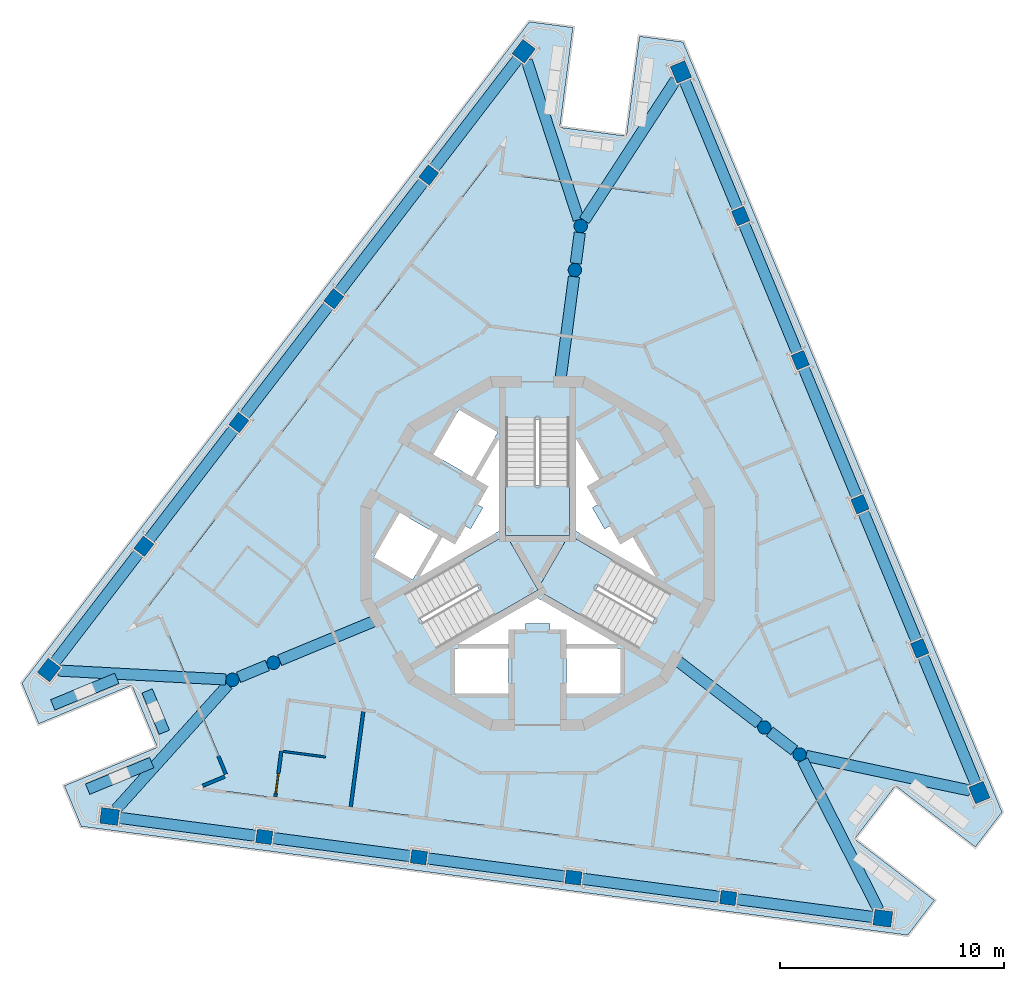
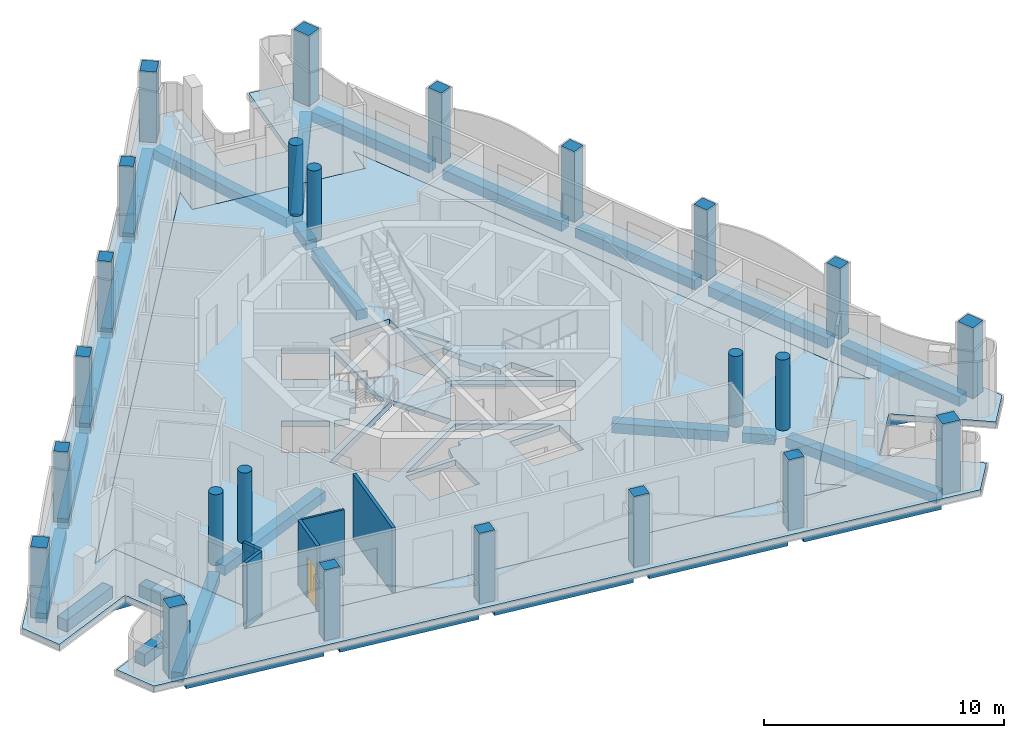
# One storey, part 1 of 12: 27 beams, 24 columns, 8 walls, 6 slabs, 1 door, 1 opening, 3 elements without a shape of their own.
"""IFC4 building model written with IfcOpenShell, lengths in metres."""

from ifc_helpers import new_model, si_unit, direction, frame, frame_2d, origin, origin_2d, place, context, subcontext, project, spatial, polyline, rectangle, circle, outline, extrude, material, layer, layer_set, material_profile, profile_set, type_object, element, fill, aggregate, save


model = new_model("IFC4")

# Units and contexts
model_context = context("Model", 3, precision=1e-05, world=origin(), true_north=direction((0.0, 1.0)))
body_context = subcontext(model_context, "Body", "Model", "MODEL_VIEW")
ifc_project = project(units=[si_unit("LENGTHUNIT", "METRE"), si_unit("AREAUNIT", "SQUARE_METRE"), si_unit("VOLUMEUNIT", "CUBIC_METRE"), si_unit("PLANEANGLEUNIT", "RADIAN"), si_unit("MASSUNIT", "GRAM", prefix="KILO")], contexts=[model_context])

# Site, building, storey
site_placement = place(None, origin())
site = spatial("IfcSite", under=ifc_project, at=site_placement, CompositionType="ELEMENT")
building_placement = place(site_placement, origin())
building = spatial("IfcBuilding", under=site, at=building_placement, Name="Trine Commons Tower", CompositionType="ELEMENT")
storey_placement = place(building_placement, frame((0.0, 0.0, 275.39990234375)))
storey = spatial("IfcBuildingStorey", under=building, at=storey_placement, Name="L72", CompositionType="ELEMENT", Elevation=275.39990234375)

# Columns
ifc_material_1 = material(Name="Concrete C50/60", Category="concrete")
ifc_material_profile_1 = material_profile(ifc_material_1, rectangle(XDim=0.699951171875, YDim=0.60009765625, at=origin_2d()), Name="RC 700x600")
ifc_profile_set_1 = profile_set([ifc_material_profile_1], Name="Concrete C50/60")
column_type_1 = type_object("IfcColumnType", Name="RC column 700x600, C50/60", PredefinedType="COLUMN", material=ifc_profile_set_1)
for number, where, z_axis, x_axis, name in (
    (1, (88.521728515625, 47.098876953125, 0.0), (0.0, 0.0, 1.0), (-0.991444861374, 0.13052619222, 0.0), "Column PC8-02 L72"),
    (2, (81.608642578125, 48.009033203125, 0.0), (0.0, 0.0, 1.0), (-0.991444861374, 0.13052619222, 0.0), "Column PC8-03 L72"),
    (3, (74.695556640625, 48.919189453125, 0.0), (0.0, 0.0, 1.0), (-0.991444861374, 0.13052619222, 0.0), "Column PC8-04 L72"),
    (4, (67.782470703125, 49.8291015625, 0.0), (0.0, 0.0, 1.0), (-0.991444861374, 0.13052619222, 0.0), "Column PC8-05 L72"),
    (5, (62.4013671875, 62.820556640625, 0.0), (0.0, 0.0, 1.0), (0.608761429009, 0.793353340291, 0.0), "Column PC8-08 L72"),
    (6, (66.64599609375, 68.352294921875, 0.0), (0.0, 0.0, 1.0), (0.608761429009, 0.793353340291, 0.0), "Column PC8-09 L72"),
    (7, (70.890869140625, 73.88427734375, 0.0), (0.0, 0.0, 1.0), (0.608761429009, 0.793353340291, 0.0), "Column PC8-10 L72"),
    (8, (75.135498046875, 79.416015625, 0.0), (0.0, 0.0, 1.0), (0.608761429009, 0.793353340291, 0.0), "Column PC8-11 L72"),
    (9, (89.076904296875, 77.58056640625, 0.0), (0.0, 0.0, 1.0), (-0.382683432365, 0.923879532511, 0.0), "Column PC8-14 L72"),
    (10, (91.745361328125, 71.138671875, 0.0), (0.0, 0.0, 1.0), (-0.382683432365, 0.923879532511, 0.0), "Column PC8-15 L72"),
    (11, (94.41357421875, 64.69677734375, 0.0), (0.0, 0.0, 1.0), (-0.382683432365, 0.923879532511, 0.0), "Column PC8-16 L72"),
    (12, (97.081787109375, 58.254638671875, 0.0), (0.0, 0.0, 1.0), (-0.382683432365, 0.923879532511, 0.0), "Column PC8-17 L72"),
):
    element("IfcColumn", number, at=place(storey_placement, frame(where, z_axis=z_axis, x_axis=x_axis)), inside=storey, type_object=column_type_1, Name=name, PredefinedType="COLUMN", context=body_context, shape_type="SweptSolid", body=[
        extrude(rectangle(XDim=0.699951171875, YDim=0.60009765625, at=origin_2d()), origin(), (0.0, 0.0, 1.0), 3.60009765625),
    ])
ifc_material_profile_2 = material_profile(ifc_material_1, rectangle(XDim=0.800048828125, YDim=0.699951171875, at=origin_2d()), Name="RC 800x700")
ifc_profile_set_2 = profile_set([ifc_material_profile_2], Name="Concrete C50/60")
column_type_2 = type_object("IfcColumnType", Name="RC column 800x700, C50/60", PredefinedType="COLUMN", material=ifc_profile_set_2)
for number, where, z_axis, x_axis, name in (
    (13, (95.434814453125, 46.188720703125, 0.0), (0.0, 0.0, 1.0), (-0.991444861374, 0.13052619222, 0.0), "Column PC8-01 L72"),
    (14, (60.869384765625, 50.7392578125, 0.0), (0.0, 0.0, 1.0), (-0.991444861374, 0.13052619222, 0.0), "Column PC8-06 L72"),
    (15, (58.156494140625, 57.288818359375, 0.0), (0.0, 0.0, 1.0), (0.608761429009, 0.793353340291, 0.0), "Column PC8-07 L72"),
    (16, (79.380126953125, 84.947998046875, 0.0), (0.0, 0.0, 1.0), (0.608761429009, 0.793353340291, 0.0), "Column PC8-12 L72"),
    (17, (86.40869140625, 84.022705078125, 0.0), (0.0, 0.0, 1.0), (-0.382683432365, 0.923879532511, 0.0), "Column PC8-13 L72"),
    (18, (99.750244140625, 51.812744140625, 0.0), (0.0, 0.0, 1.0), (-0.382683432365, 0.923879532511, 0.0), "Column PC8-18 L72"),
):
    element("IfcColumn", number, at=place(storey_placement, frame(where, z_axis=z_axis, x_axis=x_axis)), inside=storey, type_object=column_type_2, Name=name, PredefinedType="COLUMN", context=body_context, shape_type="SweptSolid", body=[
        extrude(rectangle(XDim=0.800048828125, YDim=0.699951171875, at=origin_2d()), origin(), (0.0, 0.0, 1.0), 3.60009765625),
    ])
ifc_material_profile_3 = material_profile(ifc_material_1, circle(Radius=0.300048828125, at=origin_2d()), Name="RC round 600")
ifc_profile_set_3 = profile_set([ifc_material_profile_3], Name="Concrete C50/60")
column_type_3 = type_object("IfcColumnType", Name="RC round column 600 mm, C50/60", PredefinedType="COLUMN", material=ifc_profile_set_3)
for number, where, z_axis, x_axis, name in (
    (19, (90.137451171875, 54.72119140625, 0.0), (0.0, 0.0, 1.0), (1.0, 0.0, 0.0), "Column WC8-1 L72"),
    (20, (91.711669921875, 53.513427734375, 0.0), (0.0, 0.0, 1.0), (1.0, 0.0, 0.0), "Column WC8-2 L72"),
    (21, (81.66796875, 75.168701171875, 0.0), (0.0, 0.0, 1.0), (1.0, 0.0, 0.0), "Column WC8-3 L72"),
    (22, (81.927001953125, 77.135986328125, 0.0), (0.0, 0.0, 1.0), (1.0, 0.0, 0.0), "Column WC8-4 L72"),
    (23, (68.194580078125, 57.610107421875, 0.0), (0.0, 0.0, 1.0), (1.0, 0.0, 0.0), "Column WC8-5 L72"),
    (24, (66.361572265625, 56.850830078125, 0.0), (0.0, 0.0, 1.0), (1.0, 0.0, 0.0), "Column WC8-6 L72"),
):
    element("IfcColumn", number, at=place(storey_placement, frame(where, z_axis=z_axis, x_axis=x_axis)), inside=storey, type_object=column_type_3, Name=name, PredefinedType="COLUMN", context=body_context, shape_type="SweptSolid", body=[
        extrude(circle(Radius=0.300048828125, at=origin_2d()), origin(), (0.0, 0.0, 1.0), 3.60009765625),
    ])

# Beams
ifc_material_2 = material(Name="Concrete C40/50", Category="concrete")
ifc_material_profile_4 = material_profile(ifc_material_2, rectangle(XDim=0.5, YDim=0.5, at=origin_2d()), Name="RC 500x500")
ifc_profile_set_4 = profile_set([ifc_material_profile_4], Name="Concrete C40/50")
beam_type = type_object("IfcBeamType", Name="RC beam 500x500, C40/50", PredefinedType="BEAM", material=ifc_profile_set_4)
beam_1_placement = place(storey_placement, frame((95.0380859375, 46.240966796875, -0.5498046875), z_axis=(-0.991444143506, 0.130531644853, 0.0), x_axis=(-0.130531644853, -0.991444143506, 0.0)))
element("IfcBeam", 25, at=beam_1_placement, inside=storey, type_object=beam_type, Name="Beam EB8-01 L72", PredefinedType="BEAM", context=body_context, shape_type="SweptSolid", body=[
    extrude(rectangle(XDim=0.5, YDim=0.5, at=origin_2d()), origin(), (0.0, 0.0, 1.0), 6.22265625),
])
beam_2_placement = place(storey_placement, frame((88.1748046875, 47.14453125, -0.5498046875), z_axis=(-0.9914427663, 0.130542104902, 0.0), x_axis=(-0.130542104902, -0.9914427663, 0.0)))
element("IfcBeam", 26, at=beam_2_placement, inside=storey, type_object=beam_type, Name="Beam EB8-02 L72", PredefinedType="BEAM", context=body_context, shape_type="SweptSolid", body=[
    extrude(rectangle(XDim=0.5, YDim=0.5, at=origin_2d()), origin(), (0.0, 0.0, 1.0), 6.272705078125),
])
for number, where, z_axis, x_axis, name in (
    (27, (81.26171875, 48.0546875, -0.5498046875), (-0.991448465824, 0.130498810784, 0.0), (-0.130498810784, -0.991448465824, 0.0), "Beam EB8-03 L72"),
    (28, (74.3486328125, 48.96484375, -0.5498046875), (-0.991448465824, 0.130498810784, 0.0), (-0.130498810784, -0.991448465824, 0.0), "Beam EB8-04 L72"),
):
    element("IfcBeam", number, at=place(storey_placement, frame(where, z_axis=z_axis, x_axis=x_axis)), inside=storey, type_object=beam_type, Name=name, PredefinedType="BEAM", context=body_context, shape_type="SweptSolid", body=[
        extrude(rectangle(XDim=0.5, YDim=0.5, at=origin_2d()), origin(), (0.0, 0.0, 1.0), 6.27294921875),
    ])
for number, where, z_axis, x_axis, name in (
    (29, (67.435546875, 49.875, -0.5498046875), (-0.991449220248, 0.130493079009, 0.0), (-0.130493079009, -0.991449220248, 0.0), "Beam EB8-05 L72"),
    (30, (58.400146484375, 57.60595703125, -0.5498046875), (0.60875848978, 0.793355595632, 0.0), (-0.793355595632, 0.60875848978, 0.0), "Beam EB8-06 L72"),
):
    element("IfcBeam", number, at=place(storey_placement, frame(where, z_axis=z_axis, x_axis=x_axis)), inside=storey, type_object=beam_type, Name=name, PredefinedType="BEAM", context=body_context, shape_type="SweptSolid", body=[
        extrude(rectangle(XDim=0.5, YDim=0.5, at=origin_2d()), origin(), (0.0, 0.0, 1.0), 6.22265625),
    ])
for number, where, z_axis, x_axis, name in (
    (31, (62.614501953125, 63.09814453125, -0.5498046875), (0.608756693169, 0.793356974206, 0.0), (-0.793356974206, 0.608756693169, 0.0), "Beam EB8-07 L72"),
    (32, (66.859130859375, 68.630126953125, -0.5498046875), (0.608775490712, 0.793342550169, 0.0), (-0.793342550169, 0.608775490712, 0.0), "Beam EB8-08 L72"),
):
    element("IfcBeam", number, at=place(storey_placement, frame(where, z_axis=z_axis, x_axis=x_axis)), inside=storey, type_object=beam_type, Name=name, PredefinedType="BEAM", context=body_context, shape_type="SweptSolid", body=[
        extrude(rectangle(XDim=0.5, YDim=0.5, at=origin_2d()), origin(), (0.0, 0.0, 1.0), 6.272705078125),
    ])
beam_3_placement = place(storey_placement, frame((71.10400390625, 74.161865234375, -0.5498046875), z_axis=(0.608750992772, 0.793361348188, 0.0), x_axis=(-0.793361348188, 0.608750992772, 0.0)))
element("IfcBeam", 33, at=beam_3_placement, inside=storey, type_object=beam_type, Name="Beam EB8-09 L72", PredefinedType="BEAM", context=body_context, shape_type="SweptSolid", body=[
    extrude(rectangle(XDim=0.5, YDim=0.5, at=origin_2d()), origin(), (0.0, 0.0, 1.0), 6.2724609375),
])
beam_4_placement = place(storey_placement, frame((75.3486328125, 79.693603515625, -0.5498046875), z_axis=(0.60873954155, 0.793370134649, 0.0), x_axis=(-0.793370134649, 0.60873954155, 0.0)))
element("IfcBeam", 34, at=beam_4_placement, inside=storey, type_object=beam_type, Name="Beam EB8-10 L72", PredefinedType="BEAM", context=body_context, shape_type="SweptSolid", body=[
    extrude(rectangle(XDim=0.5, YDim=0.5, at=origin_2d()), origin(), (0.0, 0.0, 1.0), 6.222900390625),
])
beam_5_placement = place(storey_placement, frame((86.561767578125, 83.653076171875, -0.5498046875), z_axis=(0.382686748804, -0.92387815879, 0.0), x_axis=(0.92387815879, 0.382686748804, 0.0)))
element("IfcBeam", 35, at=beam_5_placement, inside=storey, type_object=beam_type, Name="Beam EB8-11 L72", PredefinedType="BEAM", context=body_context, shape_type="SweptSolid", body=[
    extrude(rectangle(XDim=0.5, YDim=0.5, at=origin_2d()), origin(), (0.0, 0.0, 1.0), 6.22265625),
])
beam_6_placement = place(storey_placement, frame((89.210693359375, 77.257080078125, -0.5498046875), z_axis=(0.382724191967, -0.923862648278, 0.0), x_axis=(0.923862648278, 0.382724191967, 0.0)))
element("IfcBeam", 36, at=beam_6_placement, inside=storey, type_object=beam_type, Name="Beam EB8-12 L72", PredefinedType="BEAM", context=body_context, shape_type="SweptSolid", body=[
    extrude(rectangle(XDim=0.5, YDim=0.5, at=origin_2d()), origin(), (0.0, 0.0, 1.0), 6.2724609375),
])
for number, where, z_axis, x_axis, name in (
    (37, (91.879150390625, 70.815185546875, -0.5498046875), (0.38271043005, -0.923868349242, 0.0), (0.923868349242, 0.38271043005, 0.0), "Beam EB8-13 L72"),
    (38, (94.547607421875, 64.373291015625, -0.5498046875), (0.38267720894, -0.923882110314, 0.0), (0.923882110314, 0.38267720894, 0.0), "Beam EB8-14 L72"),
):
    element("IfcBeam", number, at=place(storey_placement, frame(where, z_axis=z_axis, x_axis=x_axis)), inside=storey, type_object=beam_type, Name=name, PredefinedType="BEAM", context=body_context, shape_type="SweptSolid", body=[
        extrude(rectangle(XDim=0.5, YDim=0.5, at=origin_2d()), origin(), (0.0, 0.0, 1.0), 6.272705078125),
    ])
beam_7_placement = place(storey_placement, frame((97.2158203125, 57.931396484375, -0.5498046875), z_axis=(0.382686748804, -0.92387815879, 0.0), x_axis=(0.92387815879, 0.382686748804, 0.0)))
element("IfcBeam", 39, at=beam_7_placement, inside=storey, type_object=beam_type, Name="Beam EB8-15 L72", PredefinedType="BEAM", context=body_context, shape_type="SweptSolid", body=[
    extrude(rectangle(XDim=0.5, YDim=0.5, at=origin_2d()), origin(), (0.0, 0.0, 1.0), 6.22265625),
])
beam_8_placement = place(storey_placement, frame((61.1533203125, 51.054931640625, -0.5498046875), z_axis=(0.668383038107, 0.743817258721, 0.0), x_axis=(-0.743817258721, 0.668383038107, 0.0)))
element("IfcBeam", 40, at=beam_8_placement, inside=storey, type_object=beam_type, Name="Beam CB8-01 L72", PredefinedType="BEAM", context=body_context, shape_type="SweptSolid", body=[
    extrude(rectangle(XDim=0.5, YDim=0.5, at=origin_2d()), origin(), (0.0, 0.0, 1.0), 7.492431640625),
])
beam_9_placement = place(storey_placement, frame((58.580322265625, 57.26611328125, -0.5498046875), z_axis=(0.998578123195, -0.053307896938, 0.0), x_axis=(0.053307896938, 0.998578123195, 0.0)))
element("IfcBeam", 41, at=beam_9_placement, inside=storey, type_object=beam_type, Name="Beam CB8-02 L72", PredefinedType="BEAM", context=body_context, shape_type="SweptSolid", body=[
    extrude(rectangle(XDim=0.5, YDim=0.5, at=origin_2d()), origin(), (0.0, 0.0, 1.0), 7.49267578125),
])
for number, where, z_axis, x_axis, name in (
    (42, (79.51171875, 84.54443359375, -0.5498046875), (0.309945045927, -0.950754473303, 0.0), (0.950754473303, 0.309945045927, 0.0), "Beam CB8-03 L72"),
    (43, (86.177001953125, 83.6669921875, -0.5498046875), (-0.545439536042, -0.838150173013, 0.0), (0.838150173013, -0.545439536042, 0.0), "Beam CB8-04 L72"),
):
    element("IfcBeam", number, at=place(storey_placement, frame(where, z_axis=z_axis, x_axis=x_axis)), inside=storey, type_object=beam_type, Name=name, PredefinedType="BEAM", context=body_context, shape_type="SweptSolid", body=[
        extrude(rectangle(XDim=0.5, YDim=0.5, at=origin_2d()), origin(), (0.0, 0.0, 1.0), 7.492431640625),
    ])
beam_10_placement = place(storey_placement, frame((99.335205078125, 51.900634765625, -0.5498046875), z_axis=(-0.978346023525, 0.206975984727, 0.0), x_axis=(-0.206975984727, -0.978346023525, 0.0)))
element("IfcBeam", 44, at=beam_10_placement, inside=storey, type_object=beam_type, Name="Beam CB8-05 L72", PredefinedType="BEAM", context=body_context, shape_type="SweptSolid", body=[
    extrude(rectangle(XDim=0.5, YDim=0.5, at=origin_2d()), origin(), (0.0, 0.0, 1.0), 7.49267578125),
])
beam_11_placement = place(storey_placement, frame((95.242431640625, 46.56689453125, -0.5498046875), z_axis=(-0.453121168072, 0.891448936869, 0.0), x_axis=(-0.891448936869, -0.453121168072, 0.0)))
element("IfcBeam", 45, at=beam_11_placement, inside=storey, type_object=beam_type, Name="Beam CB8-06 L72", PredefinedType="BEAM", context=body_context, shape_type="SweptSolid", body=[
    extrude(rectangle(XDim=0.5, YDim=0.5, at=origin_2d()), origin(), (0.0, 0.0, 1.0), 7.492431640625),
])
beam_12_placement = place(storey_placement, frame((86.020751953125, 57.880126953125, -0.5498046875), z_axis=(0.793360362614, -0.60875227723, 0.0), x_axis=(0.60875227723, 0.793360362614, 0.0)))
element("IfcBeam", 46, at=beam_12_placement, inside=storey, type_object=beam_type, Name="Beam RB8-01 L72", PredefinedType="BEAM", context=body_context, shape_type="SweptSolid", body=[
    extrude(rectangle(XDim=0.5, YDim=0.5, at=origin_2d()), origin(), (0.0, 0.0, 1.0), 4.88916015625),
])
beam_13_placement = place(storey_placement, frame((90.375244140625, 54.538818359375, -0.5498046875), z_axis=(0.793350909005, -0.60876459751, 0.0), x_axis=(0.60876459751, 0.793350909005, 0.0)))
element("IfcBeam", 47, at=beam_13_placement, inside=storey, type_object=beam_type, Name="Beam RB8-02 L72", PredefinedType="BEAM", context=body_context, shape_type="SweptSolid", body=[
    extrude(rectangle(XDim=0.5, YDim=0.5, at=origin_2d()), origin(), (0.0, 0.0, 1.0), 1.384765625),
])
beam_14_placement = place(storey_placement, frame((80.990478515625, 70.02392578125, -0.5498046875), z_axis=(0.130570757815, 0.991438993183, 0.0), x_axis=(-0.991438993183, 0.130570757815, 0.0)))
element("IfcBeam", 48, at=beam_14_placement, inside=storey, type_object=beam_type, Name="Beam RB8-03 L72", PredefinedType="BEAM", context=body_context, shape_type="SweptSolid", body=[
    extrude(rectangle(XDim=0.5, YDim=0.5, at=origin_2d()), origin(), (0.0, 0.0, 1.0), 4.889404296875),
])
beam_15_placement = place(storey_placement, frame((81.70703125, 75.4658203125, -0.5498046875), z_axis=(0.130454512571, 0.991454295543, 0.0), x_axis=(-0.991454295543, 0.130454512571, 0.0)))
element("IfcBeam", 49, at=beam_15_placement, inside=storey, type_object=beam_type, Name="Beam RB8-04 L72", PredefinedType="BEAM", context=body_context, shape_type="SweptSolid", body=[
    extrude(rectangle(XDim=0.5, YDim=0.5, at=origin_2d()), origin(), (0.0, 0.0, 1.0), 1.384765625),
])
beam_16_placement = place(storey_placement, frame((72.98876953125, 59.595703125, -0.5498046875), z_axis=(-0.923885978684, -0.382667869556, 0.0), x_axis=(0.382667869556, -0.923885978684, 0.0)))
element("IfcBeam", 50, at=beam_16_placement, inside=storey, type_object=beam_type, Name="Beam RB8-05 L72", PredefinedType="BEAM", context=body_context, shape_type="SweptSolid", body=[
    extrude(rectangle(XDim=0.5, YDim=0.5, at=origin_2d()), origin(), (0.0, 0.0, 1.0), 4.888916015625),
])
beam_17_placement = place(storey_placement, frame((67.91748046875, 57.495361328125, -0.5498046875), z_axis=(-0.923857745483, -0.38273602667, 0.0), x_axis=(0.38273602667, -0.923857745483, 0.0)))
element("IfcBeam", 51, at=beam_17_placement, inside=storey, type_object=beam_type, Name="Beam RB8-06 L72", PredefinedType="BEAM", context=body_context, shape_type="SweptSolid", body=[
    extrude(rectangle(XDim=0.5, YDim=0.5, at=origin_2d()), origin(), (0.0, 0.0, 1.0), 1.38427734375),
])

# Slabs
ifc_layer_1 = layer(ifc_material_2, 0.300048828125)
ifc_layer_set_1 = layer_set([ifc_layer_1], Name="Concrete C40/50")
slab_type_1 = type_object("IfcSlabType", Name="Loggia slab 300 mm, C40/50", PredefinedType="FLOOR", material=ifc_layer_set_1)
slab_1_placement = place(storey_placement, frame((0.0, 0.0, -0.2998046875)))
element("IfcSlab", 52, at=slab_1_placement, inside=storey, type_object=slab_type_1, Name="Loggia slab L72", PredefinedType="FLOOR", context=body_context, shape_type="SweptSolid", body=[
    extrude(outline(polyline([(100.763916015625, 50.933837890625), (86.503662109375, 85.36083984375), (84.556396484375, 85.6171875), (83.968994140625, 81.15576171875), (80.99462890625, 81.54736328125), (81.58203125, 86.0087890625), (79.634765625, 86.26513671875), (56.9501953125, 56.701904296875), (57.70166015625, 54.88720703125), (61.859130859375, 56.609375), (63.007080078125, 53.837890625), (58.849853515625, 52.11572265625), (59.601318359375, 50.301025390625), (96.546142578125, 45.437255859375), (97.741943359375, 46.99560546875), (94.171875, 49.73486328125), (95.998046875, 52.114990234375), (99.568115234375, 49.37548828125), (100.763916015625, 50.933837890625)]), holes=[polyline([(63.158203125, 59.7451171875), (66.14306640625, 52.538818359375), (64.900390625, 52.024169921875), (91.873779296875, 48.47314453125), (90.806640625, 49.2919921875), (95.55517578125, 55.47998046875), (96.6220703125, 54.6611328125), (86.210693359375, 79.79638671875), (86.03515625, 78.462890625), (78.302001953125, 79.481201171875), (78.4775390625, 80.814697265625), (61.915283203125, 59.23046875), (63.158203125, 59.7451171875)])]), origin(), (0.0, 0.0, 1.0), 0.2998046875),
])
ifc_layer_2 = layer(ifc_material_2, 0.300048828125)
ifc_layer_set_2 = layer_set([ifc_layer_2], Name="Concrete C40/50")
slab_type_2 = type_object("IfcSlabType", Name="PT flat slab 300 mm, C40/50", PredefinedType="FLOOR", material=ifc_layer_set_2)
slab_2_placement = place(storey_placement, frame((0.0, 0.0, -0.2998046875)))
element("IfcSlab", 53, at=slab_2_placement, inside=storey, type_object=slab_type_2, Name="Floor slab L72", PredefinedType="FLOOR", context=body_context, shape_type="SweptSolid", body=[
    extrude(outline(polyline([(61.915283203125, 59.23046875), (63.158203125, 59.7451171875), (66.14306640625, 52.538818359375), (64.900390625, 52.024169921875), (91.873779296875, 48.47314453125), (90.806640625, 49.2919921875), (95.55517578125, 55.47998046875), (96.6220703125, 54.6611328125), (86.210693359375, 79.79638671875), (86.03515625, 78.462890625), (78.302001953125, 79.481201171875), (78.4775390625, 80.814697265625), (61.915283203125, 59.23046875)]), holes=[polyline([(78.699951171875, 56.25), (78.699951171875, 58.25), (76.300048828125, 58.25), (76.300048828125, 56.25), (78.699951171875, 56.25)]), polyline([(83.699951171875, 56.25), (83.699951171875, 58.25), (81.300048828125, 58.25), (81.300048828125, 56.25), (83.699951171875, 56.25)]), polyline([(81.300048828125, 58.449951171875), (83.56494140625, 58.449951171875), (80.0, 60.508056640625), (76.43505859375, 58.449951171875), (78.699951171875, 58.449951171875), (78.85009765625, 59.10009765625), (79.449951171875, 59.10009765625), (79.449951171875, 59.360107421875), (80.550048828125, 59.360107421875), (80.550048828125, 59.10009765625), (81.14990234375, 59.10009765625), (81.300048828125, 58.449951171875)]), polyline([(81.425048828125, 63.32275390625), (81.425048828125, 68.490478515625), (78.574951171875, 68.490478515625), (78.574951171875, 63.32275390625), (74.099609375, 60.73876953125), (75.5244140625, 58.2705078125), (80.0, 60.8544921875), (84.4755859375, 58.2705078125), (85.900390625, 60.73876953125), (81.425048828125, 63.32275390625)]), polyline([(72.687255859375, 62.333984375), (74.41943359375, 61.333984375), (75.5693359375, 63.325927734375), (73.83740234375, 64.325927734375), (72.687255859375, 62.333984375)]), polyline([(76.381103515625, 63.031005859375), (75.742919921875, 63.22607421875), (74.7099609375, 61.43798828125), (78.27490234375, 63.49609375), (78.27490234375, 67.612060546875), (77.242919921875, 65.823974609375), (77.73095703125, 65.368896484375), (77.3310546875, 64.676025390625), (77.555908203125, 64.5458984375), (77.006103515625, 63.593994140625), (76.781005859375, 63.722900390625), (76.381103515625, 63.031005859375)]), polyline([(82.993896484375, 63.593994140625), (82.444091796875, 64.5458984375), (82.72705078125, 64.7099609375), (82.281005859375, 65.549072265625), (82.757080078125, 65.823974609375), (81.72509765625, 67.612060546875), (81.72509765625, 63.49609375), (85.2900390625, 61.43798828125), (84.257080078125, 63.22607421875), (83.618896484375, 63.031005859375), (83.243896484375, 63.738037109375), (82.993896484375, 63.593994140625)]), polyline([(76.4873046875, 68.916015625), (75.33740234375, 66.924072265625), (77.0693359375, 65.924072265625), (78.219482421875, 67.916015625), (76.4873046875, 68.916015625)])]), origin(), (0.0, 0.0, 1.0), 0.2998046875),
])
slab_3_placement = place(storey_placement, frame((0.0, 0.0, -0.2998046875)))
element("IfcSlab", 54, at=slab_3_placement, inside=storey, type_object=slab_type_2, Name="Floor slab L72 2", PredefinedType="FLOOR", context=body_context, shape_type="SweptSolid", body=[
    extrude(outline(polyline([(81.38671875, 63.300537109375), (78.61328125, 63.300537109375), (80.0, 60.89892578125), (81.38671875, 63.300537109375)])), origin(), (0.0, 0.0, 1.0), 0.2998046875),
])

# Stair, slab
stair_type = type_object("IfcStairType", Name="Exit stair, dog-leg, 24 risers of 150 mm", PredefinedType="HALF_TURN_STAIR", material=ifc_material_1)
stair_1_placement = place(storey_placement, origin())
stair_1 = element("IfcStair", 55, at=stair_1_placement, inside=storey, type_object=stair_type, Name="L72 Exit stair ST1D", PredefinedType="HALF_TURN_STAIR")
ifc_layer_3 = layer(ifc_material_1, 0.199951171875)
ifc_layer_set_3 = layer_set([ifc_layer_3], Name="Concrete C50/60")
slab_type_3 = type_object("IfcSlabType", Name="Stair landing slab 200 mm, C50/60", PredefinedType="LANDING", material=ifc_layer_set_3)
slab_4_placement = place(storey_placement, frame((0.0, 0.0, 1.60009765625)))
slab_4 = element("IfcSlab", 56, at=slab_4_placement, type_object=slab_type_3, Name="ST1D landing 1", PredefinedType="LANDING", context=body_context, shape_type="SweptSolid", body=[
    extrude(outline(polyline([(78.574951171875, 65.570556640625), (78.574951171875, 63.300537109375), (81.425048828125, 63.300537109375), (81.425048828125, 65.570556640625), (78.574951171875, 65.570556640625)])), origin(), (0.0, 0.0, 1.0), 0.199951171875),
])
aggregate(stair_1, [slab_4])

stair_2_placement = place(storey_placement, origin())
stair_2 = element("IfcStair", 57, at=stair_2_placement, inside=storey, type_object=stair_type, Name="L72 Exit stair ST2D", PredefinedType="HALF_TURN_STAIR")
slab_5_placement = place(storey_placement, frame((0.0, 0.0, 1.60009765625)))
slab_5 = element("IfcSlab", 58, at=slab_5_placement, type_object=slab_type_3, Name="ST2D landing 1", PredefinedType="LANDING", context=body_context, shape_type="SweptSolid", body=[
    extrude(outline(polyline([(78.05322265625, 59.730712890625), (80.019287109375, 60.86572265625), (78.59423828125, 63.333740234375), (76.628173828125, 62.19873046875), (78.05322265625, 59.730712890625)])), origin(), (0.0, 0.0, 1.0), 0.199951171875),
])
aggregate(stair_2, [slab_5])

stair_3_placement = place(storey_placement, origin())
stair_3 = element("IfcStair", 59, at=stair_3_placement, inside=storey, type_object=stair_type, Name="L72 Exit stair ST3D", PredefinedType="HALF_TURN_STAIR")
slab_6_placement = place(storey_placement, frame((0.0, 0.0, 1.60009765625)))
slab_6 = element("IfcSlab", 60, at=slab_6_placement, type_object=slab_type_3, Name="ST3D landing 1", PredefinedType="LANDING", context=body_context, shape_type="SweptSolid", body=[
    extrude(outline(polyline([(83.371826171875, 62.19873046875), (81.40576171875, 63.333740234375), (79.980712890625, 60.86572265625), (81.94677734375, 59.730712890625), (83.371826171875, 62.19873046875)])), origin(), (0.0, 0.0, 1.0), 0.199951171875),
])
aggregate(stair_3, [slab_6])

# Walls
ifc_material_3 = material(Name="Aluminium-framed insulated wall panel", Category="aluminium")
ifc_layer_4 = layer(ifc_material_3, 0.14990234375)
ifc_layer_set_4 = layer_set([ifc_layer_4], Name="Aluminium-framed insulated wall panel")
wall_type_1 = type_object("IfcWallType", Name="Glazed frame wall 150, EI 60", PredefinedType="SOLIDWALL", material=ifc_layer_set_4)
wall_1_placement = place(storey_placement, frame((64.886962890625, 52.056396484375, 0.0), z_axis=(0.0, 0.0, 1.0), x_axis=(0.923837625967, 0.382784588048, 0.0)))
element("IfcWall", 61, at=wall_1_placement, inside=storey, type_object=wall_type_1, Name="Glazed frame wall R10", PredefinedType="SOLIDWALL", context=body_context, shape_type="SweptSolid", body=[
    extrude(outline(polyline([(0.1494140625, 0.074951171875), (0.1494140625, -0.074951171875), (1.235107421875, -0.074951171875), (1.235107421875, 0.074951171875), (0.1494140625, 0.074951171875)])), origin(), (0.0, 0.0, 1.0), 3.300048828125),
])
wall_2_placement = place(storey_placement, frame((66.110595703125, 52.525390625, 0.0), z_axis=(0.0, 0.0, 1.0), x_axis=(-0.382517086072, 0.923948417858, 0.0)))
element("IfcWall", 62, at=wall_2_placement, inside=storey, type_object=wall_type_1, Name="Glazed frame wall P3.1", PredefinedType="SOLIDWALL", context=body_context, shape_type="SweptSolid", body=[
    extrude(outline(polyline([(0.110107421875, -0.074951171875), (1.0, -0.074951171875), (1.0, 0.074951171875), (0.110107421875, 0.074951171875), (0.110107421875, -0.074951171875)])), origin(), (0.0, 0.0, 1.0), 3.300048828125),
])
ifc_material_4 = material(Name="Planter trough, precast concrete C40/50", Category="concrete")
ifc_layer_5 = layer(ifc_material_4, 0.5)
ifc_layer_set_5 = layer_set([ifc_layer_5], Name="Planter trough, precast concrete C40/50")
wall_type_2 = type_object("IfcWallType", Name="Planter trough 500x600", PredefinedType="PARAPET", material=ifc_layer_set_5)
wall_3_placement = place(storey_placement, frame((59.887939453125, 51.961181640625, 0.0), z_axis=(0.0, 0.0, 1.0), x_axis=(0.923883411188, 0.382674068277, 0.0)))
element("IfcWall", 63, at=wall_3_placement, inside=storey, type_object=wall_type_2, Name="Planter 1", PredefinedType="PARAPET", context=body_context, shape_type="SweptSolid", body=[
    extrude(rectangle(XDim=3.099853515625, YDim=0.5, at=frame_2d((1.5498046875, 0.0))), origin(), (0.0, 0.0, 1.0), 0.60009765625),
])
wall_4_placement = place(storey_placement, frame((63.314697265625, 54.50634765625, 0.0), z_axis=(0.0, 0.0, 1.0), x_axis=(-0.382707581205, 0.923869529365, 0.0)))
element("IfcWall", 64, at=wall_4_placement, inside=storey, type_object=wall_type_2, Name="Planter 2", PredefinedType="PARAPET", context=body_context, shape_type="SweptSolid", body=[
    extrude(rectangle(XDim=2.0, YDim=0.5, at=frame_2d((1.0, 0.0))), origin(), (0.0, 0.0, 1.0), 0.60009765625),
])
wall_5_placement = place(storey_placement, frame((61.190673828125, 56.9169921875, 0.0), z_axis=(0.0, 0.0, 1.0), x_axis=(-0.923883411188, -0.382674068277, 0.0)))
element("IfcWall", 65, at=wall_5_placement, inside=storey, type_object=wall_type_2, Name="Planter 3", PredefinedType="PARAPET", context=body_context, shape_type="SweptSolid", body=[
    extrude(rectangle(XDim=3.099853515625, YDim=0.5, at=frame_2d((1.5498046875, 0.0))), origin(), (0.0, 0.0, 1.0), 0.60009765625),
])

# Wall, opening, door
ifc_material_5 = material(Name="Gypsum plasterboard on steel stud", Category="steel")
ifc_layer_6 = layer(ifc_material_5, 0.14990234375)
ifc_layer_set_6 = layer_set([ifc_layer_6], Name="Gypsum plasterboard on steel stud")
wall_type_3 = type_object("IfcWallType", Name="Unit and corridor wall 150 mm, EI 60", PredefinedType="PARTITIONING", material=ifc_layer_set_6)
wall_6_placement = place(storey_placement, frame((68.277099609375, 51.61962890625, 0.0), z_axis=(0.0, 0.0, 1.0), x_axis=(0.130234200459, 0.991483259077, 0.0)))
wall_6 = element("IfcWall", 66, at=wall_6_placement, inside=storey, type_object=wall_type_3, Name="Partition 007", PredefinedType="PARTITIONING", context=body_context, shape_type="SweptSolid", body=[
    extrude(rectangle(XDim=2.06396484375, YDim=0.14990234375, at=frame_2d((1.031982421875, 0.0))), origin(), (0.0, 0.0, 1.0), 3.300048828125),
])
opening_placement = place(wall_6_placement, frame((0.14990234375, 0.0, 0.0)))
opening = element("IfcOpeningElement", 67, at=opening_placement, cuts=wall_6, Name="Opening D-8A19", PredefinedType="OPENING", context=body_context, shape_type="SweptSolid", body=[
    extrude(rectangle(XDim=0.89990234375, YDim=2.10009765625, at=frame_2d((0.449951171875, 1.050048828125))), frame((0.0, 0.0849609375, 0.0), z_axis=(0.0, -1.0, 0.0), x_axis=(1.0, 0.0, 0.0)), (0.0, 0.0, 1.0), 0.169921875),
])
ifc_material_6 = material(Name="Timber fire door set", Category="wood")
door_type = type_object("IfcDoorType", Name="Bedroom door 900 x 2100, FD30S", OperationType="NOTDEFINED", PredefinedType="DOOR", material=ifc_material_6)
door_placement = place(opening_placement, frame((0.89990234375, 0.0, 0.0), z_axis=(0.0, 0.0, 1.0), x_axis=(-1.0, 0.0, 0.0)))
door = element("IfcDoor", 68, at=door_placement, inside=storey, type_object=door_type, Name="Door D-8A19", OperationType="SINGLE_SWING_RIGHT", OverallHeight=2.10009765625, OverallWidth=0.89990234375, PredefinedType="DOOR", context=body_context, shape_type="SweptSolid", body=[
    extrude(rectangle(XDim=0.89990234375, YDim=2.10009765625, at=frame_2d((0.449951171875, 1.050048828125))), frame((0.0, 0.02490234375, 0.0), z_axis=(0.0, -1.0, 0.0), x_axis=(1.0, 0.0, 0.0)), (0.0, 0.0, 1.0), 0.050048828125),
])
fill(opening, door)

# Walls
wall_7_placement = place(storey_placement, frame((71.649169921875, 51.17578125, 0.0), z_axis=(0.0, 0.0, 1.0), x_axis=(0.130461881083, 0.991453325974, 0.0)))
element("IfcWall", 69, at=wall_7_placement, inside=storey, type_object=wall_type_3, Name="Partition 020", PredefinedType="PARTITIONING", context=body_context, shape_type="SweptSolid", body=[
    extrude(rectangle(XDim=4.285400390625, YDim=0.14990234375, at=frame_2d((2.142578125, 0.0))), origin(), (0.0, 0.0, 1.0), 3.300048828125),
])
ifc_layer_7 = layer(ifc_material_5, 0.10009765625)
ifc_layer_set_7 = layer_set([ifc_layer_7], Name="Gypsum plasterboard on steel stud")
wall_type_4 = type_object("IfcWallType", Name="Unit partition 100 mm, no rating", PredefinedType="PARTITIONING", material=ifc_layer_set_7)
wall_8_placement = place(storey_placement, frame((68.620361328125, 53.652099609375, 0.0), z_axis=(0.0, 0.0, 1.0), x_axis=(0.991493972536, -0.130152612055, 0.0)))
element("IfcWall", 70, at=wall_8_placement, inside=storey, type_object=wall_type_4, Name="Partition 009", PredefinedType="PARTITIONING", context=body_context, shape_type="SweptSolid", body=[
    extrude(rectangle(XDim=1.924560546875, YDim=0.10009765625, at=frame_2d((0.96240234375, 0.0))), origin(), (0.0, 0.0, 1.0), 3.300048828125),
])

save(model, "model.ifc")
